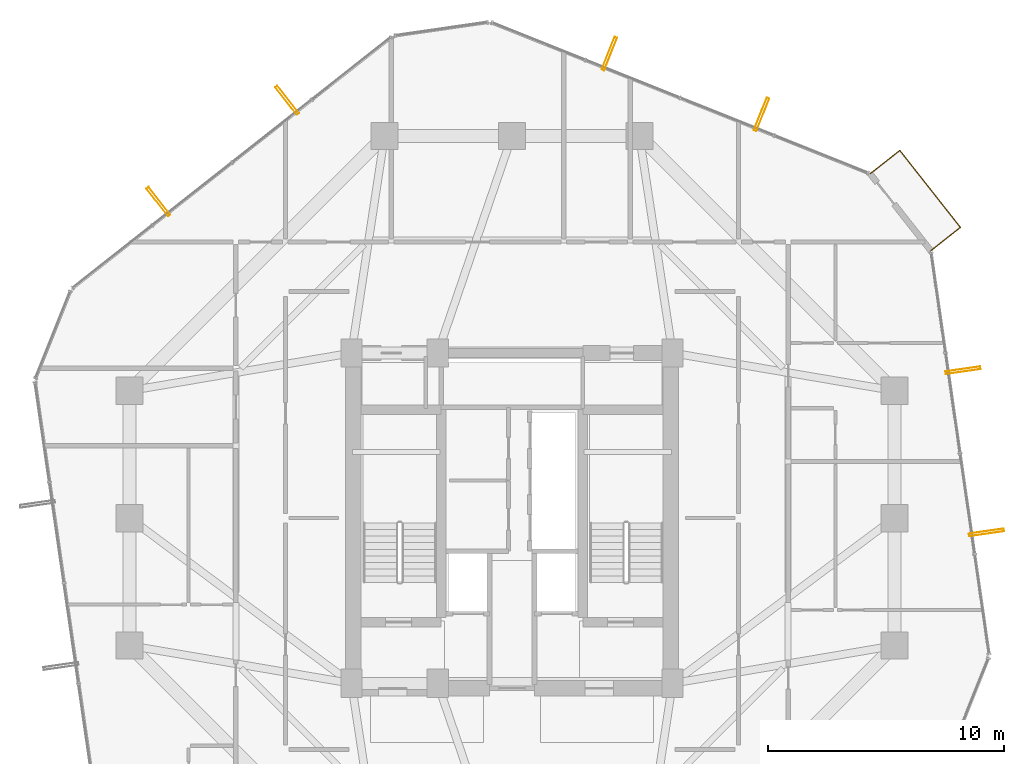
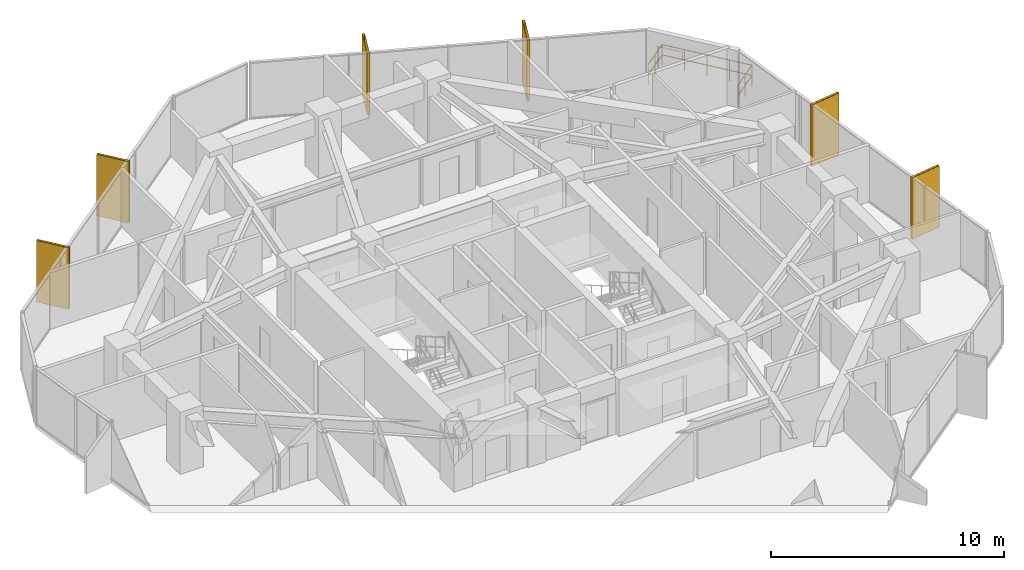
# One storey, part 34 of 34: 6 shading devices, 1 railing.
"""IFC4 building model written with IfcOpenShell, lengths in metres."""

from ifc_helpers import new_model, si_unit, direction, frame, origin, origin_2d, place, context, subcontext, project, spatial, hollow_rectangle, circle, extrude, material, material_profile, profile_set, type_object, element, save


model = new_model("IFC4")

# Units and contexts
model_context = context("Model", 3, precision=1e-05, world=origin(), true_north=direction((0.0, 1.0)))
body_context = subcontext(model_context, "Body", "Model", "MODEL_VIEW")
ifc_project = project(units=[si_unit("LENGTHUNIT", "METRE"), si_unit("AREAUNIT", "SQUARE_METRE"), si_unit("VOLUMEUNIT", "CUBIC_METRE"), si_unit("PLANEANGLEUNIT", "RADIAN"), si_unit("MASSUNIT", "GRAM", prefix="KILO")], contexts=[model_context])

# Site, building, storey
site_placement = place(None, origin())
site = spatial("IfcSite", under=ifc_project, at=site_placement, CompositionType="ELEMENT")
building_placement = place(site_placement, origin())
building = spatial("IfcBuilding", under=site, at=building_placement, Name="Veraguas Prism Commons", CompositionType="ELEMENT")
storey_placement = place(building_placement, frame((0.0, 0.0, 155.5)))
storey = spatial("IfcBuildingStorey", under=building, at=storey_placement, Name="L44", CompositionType="ELEMENT", Elevation=155.5)

# Shading devices
ifc_material_1 = material(Name="Anodised aluminium EN AW-6063 T6", Category="aluminium")
ifc_material_profile = material_profile(ifc_material_1, hollow_rectangle(XDim=0.1201171875, YDim=1.489990234375, WallThickness=0.006103515625, at=origin_2d()), Name="FIN120X1490X6")
ifc_profile_set = profile_set([ifc_material_profile], Name="Anodised aluminium EN AW-6063 T6")
shading_device_type = type_object("IfcShadingDeviceType", Name="Deep Pale-Metal Vertical Solar Fin 120x1490", PredefinedType="USERDEFINED", material=ifc_profile_set)
for number, where, z_axis, x_axis, name in (
    (1, (34.572509765625, 41.105712890625, -0.22998046875), (0.0, 0.0, 1.0), (-0.928615402141, 0.371043710237, 0.0), "Vertical Pale-Metal Solar Fin L44-F1A"),
    (2, (28.12646484375, 43.681396484375, -0.22998046875), (0.0, 0.0, 1.0), (-0.928615402141, 0.371043710237, 0.0), "Vertical Pale-Metal Solar Fin L44-F1B"),
    (3, (14.472412109375, 41.708984375, -0.22998046875), (0.0, 0.0, 1.0), (-0.785639900244, -0.618684044682, 0.0), "Vertical Pale-Metal Solar Fin L44-F2A"),
    (4, (9.0185546875, 37.414306640625, -0.22998046875), (0.0, 0.0, 1.0), (-0.785639900244, -0.618684044682, 0.0), "Vertical Pale-Metal Solar Fin L44-F2B"),
    (5, (44.10009765625, 23.396728515625, -0.22998046875), (0.0, 0.0, 1.0), (-0.142972694692, 0.989726633254, 0.0), "Vertical Pale-Metal Solar Fin L44-F6A"),
    (6, (43.107666015625, 30.26708984375, -0.22998046875), (0.0, 0.0, 1.0), (-0.142972694692, 0.989726633254, 0.0), "Vertical Pale-Metal Solar Fin L44-F6B"),
):
    element("IfcShadingDevice", number, at=place(storey_placement, frame(where, z_axis=z_axis, x_axis=x_axis)), inside=storey, type_object=shading_device_type, Name=name, ObjectType="FIN", PredefinedType="USERDEFINED", context=body_context, shape_type="SweptSolid", body=[
        extrude(hollow_rectangle(XDim=0.1201171875, YDim=1.489990234375, WallThickness=0.006103515625, at=origin_2d()), origin(), (0.0, 0.0, 1.0), 3.219970703125),
    ])

# Railing
ifc_material_2 = material(Name="Stainless steel AISI 316", Category="steel")
railing_type = type_object("IfcRailingType", Name="Loggia and Sky Pool Glazed Balustrade 1120", PredefinedType="BALUSTRADE", material=ifc_material_2)
railing_placement = place(storey_placement, frame((41.744873046875, 35.33056640625, 0.0)))
element("IfcRailing", 7, at=railing_placement, inside=storey, type_object=railing_type, Name="Recessed Corner Loggia L44-C1 Guard", PredefinedType="BALUSTRADE", context=body_context, shape_type="SweptSolid", body=[
    extrude(circle(Radius=0.02392578125, at=origin_2d()), frame((0.0, 0.0, 1.09619140625), z_axis=(0.785565846552, 0.618778070662, 0.0), x_axis=(-0.618778070662, 0.785565846552, 0.0)), (0.0, 0.0, 1.0), 1.599853515625),
    extrude(circle(Radius=0.02392578125, at=origin_2d()), frame((0.0, 0.0, 0.56005859375), z_axis=(0.785565846552, 0.618778070662, 0.0), x_axis=(-0.618778070662, 0.785565846552, 0.0)), (0.0, 0.0, 1.0), 1.599853515625),
    extrude(circle(Radius=0.02392578125, at=origin_2d()), frame((1.2568359375, 0.989990234375, 1.09619140625), z_axis=(-0.618654581345, 0.785663101451, 0.0), x_axis=(-0.785663101451, -0.618654581345, 0.0)), (0.0, 0.0, 1.0), 4.153076171875),
    extrude(circle(Radius=0.02392578125, at=origin_2d()), frame((1.2568359375, 0.989990234375, 0.56005859375), z_axis=(-0.618654581345, 0.785663101451, 0.0), x_axis=(-0.785663101451, -0.618654581345, 0.0)), (0.0, 0.0, 1.0), 4.153076171875),
    extrude(circle(Radius=0.02392578125, at=origin_2d()), frame((-1.3125, 4.2529296875, 1.09619140625), z_axis=(-0.785624263087, -0.61870390111, 0.0), x_axis=(0.61870390111, -0.785624263087, 0.0)), (0.0, 0.0, 1.0), 1.60009765625),
    extrude(circle(Radius=0.02392578125, at=origin_2d()), frame((-1.3125, 4.2529296875, 0.56005859375), z_axis=(-0.785624263087, -0.61870390111, 0.0), x_axis=(0.61870390111, -0.785624263087, 0.0)), (0.0, 0.0, 1.0), 1.60009765625),
    extrude(circle(Radius=0.02099609375, at=origin_2d()), origin(), (0.0, 0.0, 1.0), 1.072021484375),
    extrude(circle(Radius=0.02099609375, at=origin_2d()), frame((0.62841796875, 0.4951171875, 0.0)), (0.0, 0.0, 1.0), 1.072021484375),
    extrude(circle(Radius=0.02099609375, at=origin_2d()), frame((1.2568359375, 0.989990234375, 0.0)), (0.0, 0.0, 1.0), 1.072021484375),
    extrude(circle(Radius=0.02099609375, at=origin_2d()), frame((0.614501953125, 1.8056640625, 0.0)), (0.0, 0.0, 1.0), 1.072021484375),
    extrude(circle(Radius=0.02099609375, at=origin_2d()), frame((-0.02783203125, 2.62158203125, 0.0)), (0.0, 0.0, 1.0), 1.072021484375),
    extrude(circle(Radius=0.02099609375, at=origin_2d()), frame((-0.670166015625, 3.437255859375, 0.0)), (0.0, 0.0, 1.0), 1.072021484375),
    extrude(circle(Radius=0.02099609375, at=origin_2d()), frame((-1.3125, 4.2529296875, 0.0)), (0.0, 0.0, 1.0), 1.072021484375),
    extrude(circle(Radius=0.02099609375, at=origin_2d()), frame((-1.94091796875, 3.7578125, 0.0)), (0.0, 0.0, 1.0), 1.072021484375),
    extrude(circle(Radius=0.02099609375, at=origin_2d()), frame((-2.569580078125, 3.262939453125, 0.0)), (0.0, 0.0, 1.0), 1.072021484375),
])

save(model, "model.ifc")
